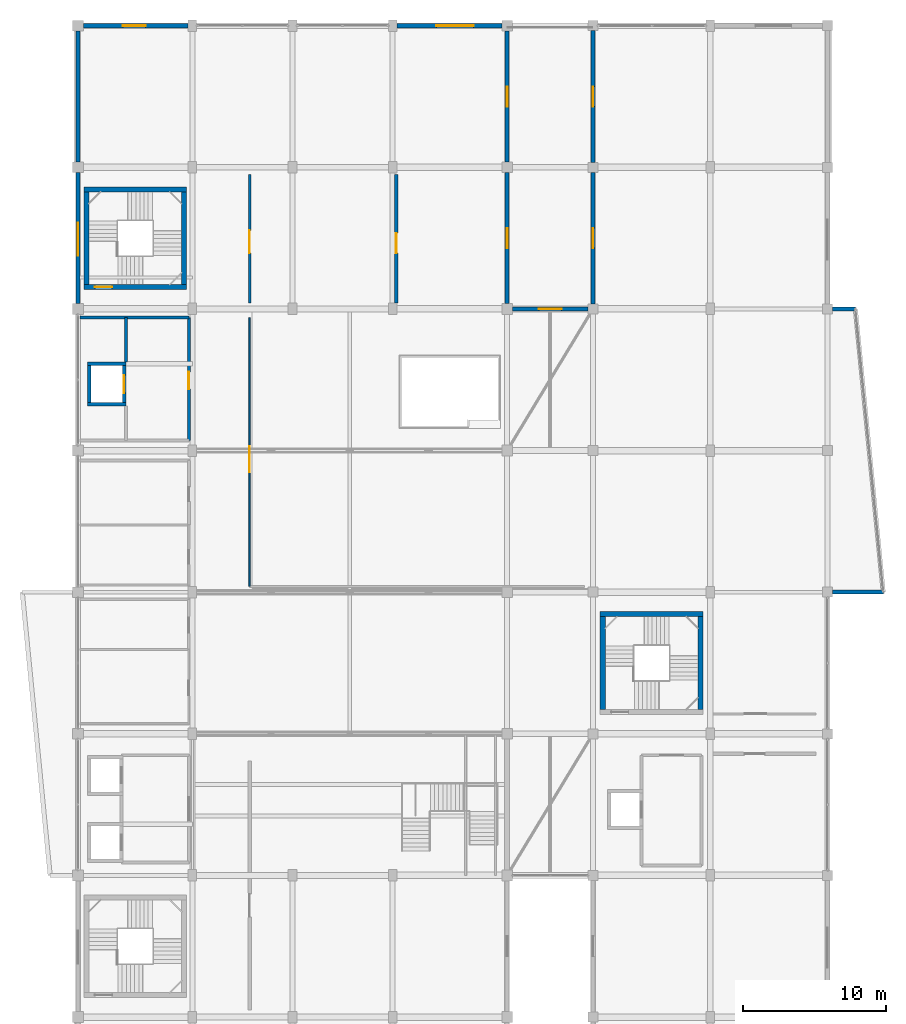
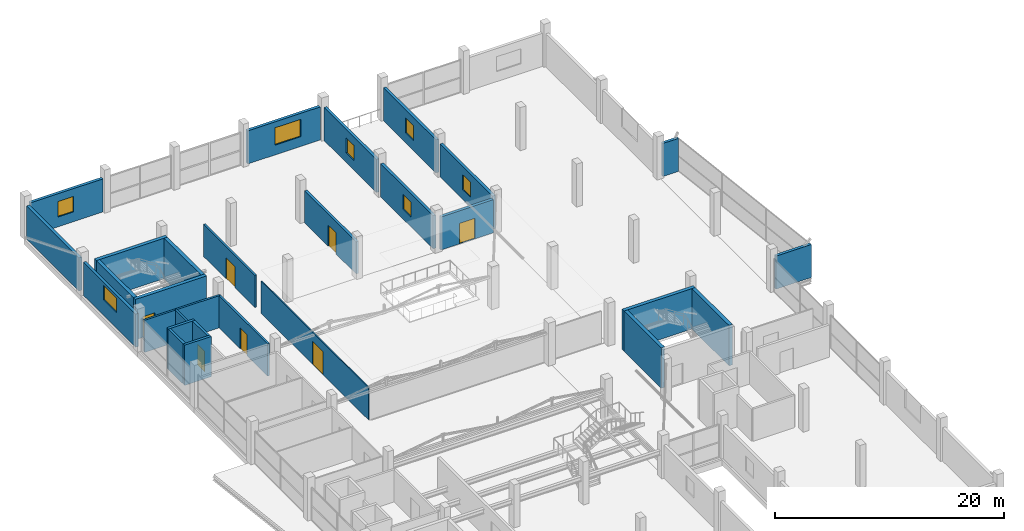
# One storey, part 43 of 55: 28 walls, 7 doors, 7 windows, 14 openings.
"""IFC4 building model written with IfcOpenShell, lengths in metres."""

from ifc_helpers import new_model, si_unit, direction, frame, frame_2d, origin, place, context, subcontext, project, spatial, rectangle, extrude, material, layer, layer_set, type_object, element, fill, save


model = new_model("IFC4")

# Units and contexts
model_context = context("Model", 3, precision=1e-05, world=origin(), true_north=direction((0.0, 1.0)))
body_context = subcontext(model_context, "Body", "Model", "MODEL_VIEW")
ifc_project = project(units=[si_unit("LENGTHUNIT", "METRE"), si_unit("AREAUNIT", "SQUARE_METRE"), si_unit("VOLUMEUNIT", "CUBIC_METRE"), si_unit("PLANEANGLEUNIT", "RADIAN"), si_unit("MASSUNIT", "GRAM", prefix="KILO")], contexts=[model_context])

# Site, building, storey
site_placement = place(None, origin())
site = spatial("IfcSite", under=ifc_project, at=site_placement, CompositionType="ELEMENT")
building_placement = place(site_placement, origin())
building = spatial("IfcBuilding", under=site, at=building_placement, Name="Sillaruma Civic Art Gallery", CompositionType="ELEMENT")
storey_placement = place(building_placement, frame((0.0, 0.0, 37.739990234375)))
storey = spatial("IfcBuildingStorey", under=building, at=storey_placement, Name="L07", CompositionType="ELEMENT", Elevation=37.739990234375)

# Wall, opening, door
ifc_material_1 = material(Name="Concrete H40 (40 MPa)", Category="concrete")
ifc_layer_1 = layer(ifc_material_1, 0.35009765625, Name="Concrete H40 (40 MPa)")
ifc_layer_set_1 = layer_set([ifc_layer_1], Name="Concrete H40 (40 MPa)")
wall_type_1 = type_object("IfcWallType", Name="WAL-CORE-350", PredefinedType="SHEAR", material=ifc_layer_set_1)
wall_1_placement = place(storey_placement, frame((62.409912109375, 80.735107421875, 0.0), z_axis=(0.0, 0.0, 1.0), x_axis=(1.0, 0.0, 0.0)))
wall_1 = element("IfcWall", 1, at=wall_1_placement, inside=storey, type_object=wall_type_1, Name="Stair Core Shear Wall W-CORE-350 (ST-02:L07:S)", PredefinedType="SHEAR", context=body_context, shape_type="SweptSolid", body=[
    extrude(rectangle(XDim=7.18017578125, YDim=0.35009765625, at=frame_2d((3.590087890625, 0.0))), origin(), (0.0, 0.0, 1.0), 4.31005859375),
])
opening_1_placement = place(wall_1_placement, frame((0.77001953125, 0.0, 0.0)))
opening_1 = element("IfcOpeningElement", 2, at=opening_1_placement, cuts=wall_1, Name="Opening D-STAIR", PredefinedType="OPENING", context=body_context, shape_type="SweptSolid", body=[
    extrude(rectangle(XDim=1.199951171875, YDim=2.199951171875, at=frame_2d((0.60009765625, 1.10009765625))), frame((0.0, 0.18505859375, 0.0), z_axis=(0.0, -1.0, 0.0), x_axis=(1.0, 0.0, 0.0)), (0.0, 0.0, 1.0), 0.3701171875),
])
ifc_material_2 = material(Name="Galvanised Steel ASTM A653 Gr.50", Category="steel")
door_type_1 = type_object("IfcDoorType", Name="DOR-STAIR-120", OperationType="NOTDEFINED", PredefinedType="DOOR", material=ifc_material_2)
door_1_placement = place(opening_1_placement, origin())
door_1 = element("IfcDoor", 3, at=door_1_placement, inside=storey, type_object=door_type_1, Name="Protected Stair Fire Door (ST-02:L07)", OperationType="SINGLE_SWING_LEFT", OverallHeight=2.199951171875, OverallWidth=1.199951171875, PredefinedType="DOOR", context=body_context, shape_type="SweptSolid", body=[
    extrude(rectangle(XDim=1.199951171875, YDim=2.199951171875, at=frame_2d((0.60009765625, 1.10009765625))), frame((0.0, 0.02490234375, 0.0), z_axis=(0.0, -1.0, 0.0), x_axis=(1.0, 0.0, 0.0)), (0.0, 0.0, 1.0), 0.050048828125),
])
fill(opening_1, door_1)

# Walls
wall_2_placement = place(storey_placement, frame((62.409912109375, 87.56494140625, 0.0), z_axis=(0.0, 0.0, 1.0), x_axis=(1.0, 0.0, 0.0)))
element("IfcWall", 4, at=wall_2_placement, inside=storey, type_object=wall_type_1, Name="Stair Core Shear Wall W-CORE-350 (ST-02:L07:N)", PredefinedType="SHEAR", context=body_context, shape_type="SweptSolid", body=[
    extrude(rectangle(XDim=7.18017578125, YDim=0.35009765625, at=frame_2d((3.590087890625, 0.0))), origin(), (0.0, 0.0, 1.0), 4.31005859375),
])
for number, where, z_axis, x_axis, name in (
    (5, (62.5849609375, 80.909912109375, 0.0), (0.0, 0.0, 1.0), (0.0, 1.0, 0.0), "Stair Core Shear Wall W-CORE-350 (ST-02:L07:W)"),
    (6, (69.4150390625, 80.909912109375, 0.0), (0.0, 0.0, 1.0), (0.0, 1.0, 0.0), "Stair Core Shear Wall W-CORE-350 (ST-02:L07:E)"),
):
    element("IfcWall", number, at=place(storey_placement, frame(where, z_axis=z_axis, x_axis=x_axis)), inside=storey, type_object=wall_type_1, Name=name, PredefinedType="SHEAR", context=body_context, shape_type="SweptSolid", body=[
        extrude(rectangle(XDim=6.47998046875, YDim=0.35009765625, at=frame_2d((3.239990234375, 0.0))), origin(), (0.0, 0.0, 1.0), 4.31005859375),
    ])
wall_3_placement = place(storey_placement, frame((98.510009765625, 57.864990234375, 0.0), z_axis=(0.0, 0.0, 1.0), x_axis=(1.0, 0.0, 0.0)))
element("IfcWall", 7, at=wall_3_placement, inside=storey, type_object=wall_type_1, Name="Stair Core Shear Wall W-CORE-350 (ST-04:L07:N)", PredefinedType="SHEAR", context=body_context, shape_type="SweptSolid", body=[
    extrude(rectangle(XDim=7.179931640625, YDim=0.35009765625, at=frame_2d((3.58984375, 0.0))), origin(), (0.0, 0.0, 1.0), 4.31005859375),
])
for number, where, z_axis, x_axis, name in (
    (8, (98.68505859375, 51.2099609375, 0.0), (0.0, 0.0, 1.0), (0.0, 1.0, 0.0), "Stair Core Shear Wall W-CORE-350 (ST-04:L07:W)"),
    (9, (105.514892578125, 51.2099609375, 0.0), (0.0, 0.0, 1.0), (0.0, 1.0, 0.0), "Stair Core Shear Wall W-CORE-350 (ST-04:L07:E)"),
):
    element("IfcWall", number, at=place(storey_placement, frame(where, z_axis=z_axis, x_axis=x_axis)), inside=storey, type_object=wall_type_1, Name=name, PredefinedType="SHEAR", context=body_context, shape_type="SweptSolid", body=[
        extrude(rectangle(XDim=6.47998046875, YDim=0.35009765625, at=frame_2d((3.239990234375, 0.0))), origin(), (0.0, 0.0, 1.0), 4.31005859375),
    ])

# Wall, opening, window
ifc_material_3 = material(Name="Concrete H35 (35 MPa)", Category="concrete")
ifc_layer_2 = layer(ifc_material_3, 0.159912109375, Name="Concrete backup", Category="concrete")
ifc_material_4 = material(Name="Mineral Wool Thermal Insulation", Category="insulation")
ifc_layer_3 = layer(ifc_material_4, 0.090087890625, Name="Thermal insulation", Category="insulation")
ifc_material_5 = material(Name="Anodised Zinc-Aluminium Alloy", Category="aluminium")
ifc_layer_4 = layer(ifc_material_5, 0.030029296875, Name="Rainscreen finish", Category="aluminium")
ifc_layer_set_2 = layer_set([ifc_layer_2, ifc_layer_3, ifc_layer_4], Name="W-EXT-280")
wall_type_2 = type_object("IfcWallType", Name="WAL-EXT-280", PredefinedType="SOLIDWALL", material=ifc_layer_set_2)
wall_4_placement = place(storey_placement, frame((62.0, 79.574951171875, 0.0), z_axis=(0.0, 0.0, 1.0), x_axis=(0.0, 1.0, 0.0)))
wall_4 = element("IfcWall", 10, at=wall_4_placement, inside=storey, type_object=wall_type_2, Name="Exterior Wall W-EXT-280 (EW-L07-W-7)", PredefinedType="SOLIDWALL", context=body_context, shape_type="SweptSolid", body=[
    extrude(rectangle(XDim=9.150146484375, YDim=0.280029296875, at=frame_2d((4.5751953125, 0.0))), origin(), (0.0, 0.0, 1.0), 3.530029296875),
])
opening_2_placement = place(wall_4_placement, frame((3.35009765625, 0.0, 1.64990234375)))
opening_2 = element("IfcOpeningElement", 11, at=opening_2_placement, cuts=wall_4, Name="Opening WN-12", PredefinedType="OPENING", context=body_context, shape_type="SweptSolid", body=[
    extrude(rectangle(XDim=2.300048828125, YDim=1.550048828125, at=frame_2d((1.14990234375, 0.77490234375))), frame((0.0, 0.14990234375, 0.0), z_axis=(0.0, -1.0, 0.0), x_axis=(1.0, 0.0, 0.0)), (0.0, 0.0, 1.0), 0.300048828125),
])
ifc_material_6 = material(Name="Thermally Broken Extruded Aluminium 6063-T6", Category="aluminium")
window_type_1 = type_object("IfcWindowType", Name="WIN-W12", PartitioningType="SINGLE_PANEL", PredefinedType="WINDOW", material=ifc_material_6)
window_1_placement = place(opening_2_placement, origin())
window_1 = element("IfcWindow", 12, at=window_1_placement, inside=storey, type_object=window_type_1, Name="Window WN-12 (EW-L07-W-7-1)", OverallHeight=1.550048828125, OverallWidth=2.300048828125, PartitioningType="SINGLE_PANEL", PredefinedType="WINDOW", context=body_context, shape_type="SweptSolid", body=[
    extrude(rectangle(XDim=2.300048828125, YDim=1.550048828125, at=frame_2d((1.14990234375, 0.77490234375))), frame((0.0, 0.030029296875, 0.0), z_axis=(0.0, -1.0, 0.0), x_axis=(1.0, 0.0, 0.0)), (0.0, 0.0, 1.0), 0.06005859375),
])
fill(opening_2, window_1)

# Walls
wall_5_placement = place(storey_placement, frame((114.75, 59.39990234375, 0.0), z_axis=(0.0, 0.0, 1.0), x_axis=(1.0, 0.0, 0.0)))
element("IfcWall", 13, at=wall_5_placement, inside=storey, type_object=wall_type_2, Name="Exterior Wall W-EXT-280 (EW-PRW-L07-E-S1)", PredefinedType="SOLIDWALL", context=body_context, shape_type="SweptSolid", body=[
    extrude(rectangle(XDim=3.550048828125, YDim=0.280029296875, at=frame_2d((1.77490234375, 0.0))), origin(), (0.0, 0.0, 1.0), 3.530029296875),
])
wall_6_placement = place(storey_placement, frame((116.35009765625, 79.199951171875, 0.0), z_axis=(0.0, 0.0, 1.0), x_axis=(-1.0, 0.0, 0.0)))
element("IfcWall", 14, at=wall_6_placement, inside=storey, type_object=wall_type_2, Name="Exterior Wall W-EXT-280 (EW-PRW-L07-E-S3)", PredefinedType="SOLIDWALL", context=body_context, shape_type="SweptSolid", body=[
    extrude(rectangle(XDim=1.60009765625, YDim=0.280029296875, at=frame_2d((0.800048828125, 0.0))), origin(), (0.0, 0.0, 1.0), 3.530029296875),
])

# Wall, opening, door
wall_7_placement = place(storey_placement, frame((92.375, 79.199951171875, 0.0), z_axis=(0.0, 0.0, 1.0), x_axis=(1.0, 0.0, 0.0)))
wall_7 = element("IfcWall", 15, at=wall_7_placement, inside=storey, type_object=wall_type_2, Name="Exterior Wall W-EXT-280 (EW-L07-CYN-N)", PredefinedType="SOLIDWALL", context=body_context, shape_type="SweptSolid", body=[
    extrude(rectangle(XDim=5.27490234375, YDim=0.280029296875, at=frame_2d((2.637451171875, 0.0))), origin(), (0.0, 0.0, 1.0), 3.530029296875),
])
opening_3_placement = place(wall_7_placement, frame((1.837890625, 0.0, 0.0)))
opening_3 = element("IfcOpeningElement", 16, at=opening_3_placement, cuts=wall_7, Name="Opening D-TER2", PredefinedType="OPENING", context=body_context, shape_type="SweptSolid", body=[
    extrude(rectangle(XDim=1.60009765625, YDim=2.199951171875, at=frame_2d((0.800048828125, 1.10009765625))), frame((0.0, 0.14990234375, 0.0), z_axis=(0.0, -1.0, 0.0), x_axis=(1.0, 0.0, 0.0)), (0.0, 0.0, 1.0), 0.300048828125),
])
door_type_2 = type_object("IfcDoorType", Name="DOR-TER-160", OperationType="NOTDEFINED", PredefinedType="DOOR", material=ifc_material_6)
door_2_placement = place(opening_3_placement, origin())
door_2 = element("IfcDoor", 17, at=door_2_placement, inside=storey, type_object=door_type_2, Name="L07 North Canyon Sculpture Terrace Door", OperationType="DOUBLE_DOOR_SINGLE_SWING", OverallHeight=2.199951171875, OverallWidth=1.60009765625, PredefinedType="DOOR", context=body_context, shape_type="SweptSolid", body=[
    extrude(rectangle(XDim=1.60009765625, YDim=2.199951171875, at=frame_2d((0.800048828125, 1.10009765625))), frame((0.0, 0.02490234375, 0.0), z_axis=(0.0, -1.0, 0.0), x_axis=(1.0, 0.0, 0.0)), (0.0, 0.0, 1.0), 0.050048828125),
])
fill(opening_3, door_2)

# Wall, opening, window
wall_8_placement = place(storey_placement, frame((92.0, 79.574951171875, 0.0), z_axis=(0.0, 0.0, 1.0), x_axis=(0.0, 1.0, 0.0)))
wall_8 = element("IfcWall", 18, at=wall_8_placement, inside=storey, type_object=wall_type_2, Name="Exterior Wall W-EXT-280 (EW-L07-CYN-W3)", PredefinedType="SOLIDWALL", context=body_context, shape_type="SweptSolid", body=[
    extrude(rectangle(XDim=9.150146484375, YDim=0.280029296875, at=frame_2d((4.5751953125, 0.0))), origin(), (0.0, 0.0, 1.0), 3.530029296875),
])
opening_4_placement = place(wall_8_placement, frame((3.875, 0.0, 1.050048828125)))
opening_4 = element("IfcOpeningElement", 19, at=opening_4_placement, cuts=wall_8, Name="Opening WN-06", PredefinedType="OPENING", context=body_context, shape_type="SweptSolid", body=[
    extrude(rectangle(XDim=1.39990234375, YDim=1.60009765625, at=frame_2d((0.699951171875, 0.800048828125))), frame((0.0, 0.14990234375, 0.0), z_axis=(0.0, -1.0, 0.0), x_axis=(1.0, 0.0, 0.0)), (0.0, 0.0, 1.0), 0.300048828125),
])
window_type_2 = type_object("IfcWindowType", Name="WIN-W06", PartitioningType="SINGLE_PANEL", PredefinedType="WINDOW", material=ifc_material_6)
window_2_placement = place(opening_4_placement, origin())
window_2 = element("IfcWindow", 20, at=window_2_placement, inside=storey, type_object=window_type_2, Name="Window WN-06 (EW-L07-CYN-W3-1)", OverallHeight=1.60009765625, OverallWidth=1.39990234375, PartitioningType="SINGLE_PANEL", PredefinedType="WINDOW", context=body_context, shape_type="SweptSolid", body=[
    extrude(rectangle(XDim=1.39990234375, YDim=1.60009765625, at=frame_2d((0.699951171875, 0.800048828125))), frame((0.0, 0.030029296875, 0.0), z_axis=(0.0, -1.0, 0.0), x_axis=(1.0, 0.0, 0.0)), (0.0, 0.0, 1.0), 0.06005859375),
])
fill(opening_4, window_2)

wall_9_placement = place(storey_placement, frame((98.0, 79.550048828125, 0.0), z_axis=(0.0, 0.0, 1.0), x_axis=(0.0, 1.0, 0.0)))
wall_9 = element("IfcWall", 21, at=wall_9_placement, inside=storey, type_object=wall_type_2, Name="Exterior Wall W-EXT-280 (EW-L07-CYN-E3)", PredefinedType="SOLIDWALL", context=body_context, shape_type="SweptSolid", body=[
    extrude(rectangle(XDim=9.199951171875, YDim=0.280029296875, at=frame_2d((4.60009765625, 0.0))), origin(), (0.0, 0.0, 1.0), 3.530029296875),
])
opening_5_placement = place(wall_9_placement, frame((3.89990234375, 0.0, 1.050048828125)))
opening_5 = element("IfcOpeningElement", 22, at=opening_5_placement, cuts=wall_9, Name="Opening WN-06", PredefinedType="OPENING", context=body_context, shape_type="SweptSolid", body=[
    extrude(rectangle(XDim=1.39990234375, YDim=1.60009765625, at=frame_2d((0.699951171875, 0.800048828125))), frame((0.0, 0.14990234375, 0.0), z_axis=(0.0, -1.0, 0.0), x_axis=(1.0, 0.0, 0.0)), (0.0, 0.0, 1.0), 0.300048828125),
])
window_3_placement = place(opening_5_placement, origin())
window_3 = element("IfcWindow", 23, at=window_3_placement, inside=storey, type_object=window_type_2, Name="Window WN-06 (EW-L07-CYN-E3-1)", OverallHeight=1.60009765625, OverallWidth=1.39990234375, PartitioningType="SINGLE_PANEL", PredefinedType="WINDOW", context=body_context, shape_type="SweptSolid", body=[
    extrude(rectangle(XDim=1.39990234375, YDim=1.60009765625, at=frame_2d((0.699951171875, 0.800048828125))), frame((0.0, 0.030029296875, 0.0), z_axis=(0.0, -1.0, 0.0), x_axis=(1.0, 0.0, 0.0)), (0.0, 0.0, 1.0), 0.06005859375),
])
fill(opening_5, window_3)

wall_10_placement = place(storey_placement, frame((92.0, 89.47509765625, 0.0), z_axis=(0.0, 0.0, 1.0), x_axis=(0.0, 1.0, 0.0)))
wall_10 = element("IfcWall", 24, at=wall_10_placement, inside=storey, type_object=wall_type_2, Name="Exterior Wall W-EXT-280 (EW-L07-CYN-W4)", PredefinedType="SOLIDWALL", context=body_context, shape_type="SweptSolid", body=[
    extrude(rectangle(XDim=9.14990234375, YDim=0.280029296875, at=frame_2d((4.574951171875, 0.0))), origin(), (0.0, 0.0, 1.0), 3.530029296875),
])
opening_6_placement = place(wall_10_placement, frame((3.875, 0.0, 1.050048828125)))
opening_6 = element("IfcOpeningElement", 25, at=opening_6_placement, cuts=wall_10, Name="Opening WN-06", PredefinedType="OPENING", context=body_context, shape_type="SweptSolid", body=[
    extrude(rectangle(XDim=1.39990234375, YDim=1.60009765625, at=frame_2d((0.699951171875, 0.800048828125))), frame((0.0, 0.14990234375, 0.0), z_axis=(0.0, -1.0, 0.0), x_axis=(1.0, 0.0, 0.0)), (0.0, 0.0, 1.0), 0.300048828125),
])
window_4_placement = place(opening_6_placement, origin())
window_4 = element("IfcWindow", 26, at=window_4_placement, inside=storey, type_object=window_type_2, Name="Window WN-06 (EW-L07-CYN-W4-1)", OverallHeight=1.60009765625, OverallWidth=1.39990234375, PartitioningType="SINGLE_PANEL", PredefinedType="WINDOW", context=body_context, shape_type="SweptSolid", body=[
    extrude(rectangle(XDim=1.39990234375, YDim=1.60009765625, at=frame_2d((0.699951171875, 0.800048828125))), frame((0.0, 0.030029296875, 0.0), z_axis=(0.0, -1.0, 0.0), x_axis=(1.0, 0.0, 0.0)), (0.0, 0.0, 1.0), 0.06005859375),
])
fill(opening_6, window_4)

wall_11_placement = place(storey_placement, frame((98.0, 89.449951171875, 0.0), z_axis=(0.0, 0.0, 1.0), x_axis=(0.0, 1.0, 0.0)))
wall_11 = element("IfcWall", 27, at=wall_11_placement, inside=storey, type_object=wall_type_2, Name="Exterior Wall W-EXT-280 (EW-L07-CYN-E4)", PredefinedType="SOLIDWALL", context=body_context, shape_type="SweptSolid", body=[
    extrude(rectangle(XDim=9.199951171875, YDim=0.280029296875, at=frame_2d((4.60009765625, 0.0))), origin(), (0.0, 0.0, 1.0), 3.530029296875),
])
opening_7_placement = place(wall_11_placement, frame((3.89990234375, 0.0, 1.050048828125)))
opening_7 = element("IfcOpeningElement", 28, at=opening_7_placement, cuts=wall_11, Name="Opening WN-06", PredefinedType="OPENING", context=body_context, shape_type="SweptSolid", body=[
    extrude(rectangle(XDim=1.39990234375, YDim=1.60009765625, at=frame_2d((0.699951171875, 0.800048828125))), frame((0.0, 0.14990234375, 0.0), z_axis=(0.0, -1.0, 0.0), x_axis=(1.0, 0.0, 0.0)), (0.0, 0.0, 1.0), 0.300048828125),
])
window_5_placement = place(opening_7_placement, origin())
window_5 = element("IfcWindow", 29, at=window_5_placement, inside=storey, type_object=window_type_2, Name="Window WN-06 (EW-L07-CYN-E4-1)", OverallHeight=1.60009765625, OverallWidth=1.39990234375, PartitioningType="SINGLE_PANEL", PredefinedType="WINDOW", context=body_context, shape_type="SweptSolid", body=[
    extrude(rectangle(XDim=1.39990234375, YDim=1.60009765625, at=frame_2d((0.699951171875, 0.800048828125))), frame((0.0, 0.030029296875, 0.0), z_axis=(0.0, -1.0, 0.0), x_axis=(1.0, 0.0, 0.0)), (0.0, 0.0, 1.0), 0.06005859375),
])
fill(opening_7, window_5)

ifc_layer_5 = layer(ifc_material_3, 0.169921875, Name="Concrete backup", Category="concrete")
ifc_layer_6 = layer(ifc_material_4, 0.090087890625, Name="Thermal insulation", Category="insulation")
ifc_layer_7 = layer(ifc_material_5, 0.030029296875, Name="Rainscreen finish", Category="aluminium")
ifc_layer_set_3 = layer_set([ifc_layer_5, ifc_layer_6, ifc_layer_7], Name="W-EXT-290")
wall_type_3 = type_object("IfcWallType", Name="WAL-EXT-290", PredefinedType="SOLIDWALL", material=ifc_layer_set_3)
wall_12_placement = place(storey_placement, frame((62.375, 99.0, 0.0), z_axis=(0.0, 0.0, 1.0), x_axis=(1.0, 0.0, 0.0)))
wall_12 = element("IfcWall", 30, at=wall_12_placement, inside=storey, type_object=wall_type_3, Name="Exterior Wall W-EXT-290 (EW-L07-N-1)", PredefinedType="SOLIDWALL", context=body_context, shape_type="SweptSolid", body=[
    extrude(rectangle(XDim=7.324951171875, YDim=0.2900390625, at=frame_2d((3.66259765625, 0.0))), origin(), (0.0, 0.0, 1.0), 3.530029296875),
])
opening_8_placement = place(wall_12_placement, frame((2.762939453125, 0.0, 1.050048828125)))
opening_8 = element("IfcOpeningElement", 31, at=opening_8_placement, cuts=wall_12, Name="Opening WN-05", PredefinedType="OPENING", context=body_context, shape_type="SweptSolid", body=[
    extrude(rectangle(XDim=1.60009765625, YDim=1.64990234375, at=frame_2d((0.800048828125, 0.824951171875))), frame((0.0, 0.155029296875, 0.0), z_axis=(0.0, -1.0, 0.0), x_axis=(1.0, 0.0, 0.0)), (0.0, 0.0, 1.0), 0.31005859375),
])
window_type_3 = type_object("IfcWindowType", Name="WIN-W05", PartitioningType="SINGLE_PANEL", PredefinedType="WINDOW", material=ifc_material_6)
window_6_placement = place(opening_8_placement, origin())
window_6 = element("IfcWindow", 32, at=window_6_placement, inside=storey, type_object=window_type_3, Name="Window WN-05 (EW-L07-N-1-1)", OverallHeight=1.64990234375, OverallWidth=1.60009765625, PartitioningType="SINGLE_PANEL", PredefinedType="WINDOW", context=body_context, shape_type="SweptSolid", body=[
    extrude(rectangle(XDim=1.60009765625, YDim=1.64990234375, at=frame_2d((0.800048828125, 0.824951171875))), frame((0.0, 0.030029296875, 0.0), z_axis=(0.0, -1.0, 0.0), x_axis=(1.0, 0.0, 0.0)), (0.0, 0.0, 1.0), 0.06005859375),
])
fill(opening_8, window_6)

wall_13_placement = place(storey_placement, frame((84.300048828125, 99.0, 0.0), z_axis=(0.0, 0.0, 1.0), x_axis=(1.0, 0.0, 0.0)))
wall_13 = element("IfcWall", 33, at=wall_13_placement, inside=storey, type_object=wall_type_3, Name="Exterior Wall W-EXT-290 (EW-L07-N-4)", PredefinedType="SOLIDWALL", context=body_context, shape_type="SweptSolid", body=[
    extrude(rectangle(XDim=7.324951171875, YDim=0.2900390625, at=frame_2d((3.66259765625, 0.0))), origin(), (0.0, 0.0, 1.0), 3.530029296875),
])
opening_9_placement = place(wall_13_placement, frame((2.762939453125, 0.0, 1.050048828125)))
opening_9 = element("IfcOpeningElement", 34, at=opening_9_placement, cuts=wall_13, Name="Opening WN-08", PredefinedType="OPENING", context=body_context, shape_type="SweptSolid", body=[
    extrude(rectangle(XDim=2.60009765625, YDim=1.85009765625, at=frame_2d((1.300048828125, 0.925048828125))), frame((0.0, 0.155029296875, 0.0), z_axis=(0.0, -1.0, 0.0), x_axis=(1.0, 0.0, 0.0)), (0.0, 0.0, 1.0), 0.31005859375),
])
window_type_4 = type_object("IfcWindowType", Name="WIN-W08", PartitioningType="SINGLE_PANEL", PredefinedType="WINDOW", material=ifc_material_6)
window_7_placement = place(opening_9_placement, origin())
window_7 = element("IfcWindow", 35, at=window_7_placement, inside=storey, type_object=window_type_4, Name="Window WN-08 (EW-L07-N-4-1)", OverallHeight=1.85009765625, OverallWidth=2.60009765625, PartitioningType="SINGLE_PANEL", PredefinedType="WINDOW", context=body_context, shape_type="SweptSolid", body=[
    extrude(rectangle(XDim=2.60009765625, YDim=1.85009765625, at=frame_2d((1.300048828125, 0.925048828125))), frame((0.0, 0.030029296875, 0.0), z_axis=(0.0, -1.0, 0.0), x_axis=(1.0, 0.0, 0.0)), (0.0, 0.0, 1.0), 0.06005859375),
])
fill(opening_9, window_7)

# Walls
ifc_material_7 = material(Name="Precast Concrete H35 (35 MPa)", Category="concrete")
ifc_layer_8 = layer(ifc_material_7, 0.179931640625, Name="Precast backup", Category="concrete")
ifc_layer_9 = layer(ifc_material_4, 0.090087890625, Name="Thermal insulation", Category="insulation")
ifc_material_8 = material(Name="Comanche Granitic Ashlar Stone", Category="masonry")
ifc_layer_10 = layer(ifc_material_8, 0.030029296875, Name="Rainscreen cladding", Category="masonry")
ifc_layer_set_4 = layer_set([ifc_layer_8, ifc_layer_9, ifc_layer_10], Name="W-EXT-300")
wall_type_4 = type_object("IfcWallType", Name="WAL-EXT-300", PredefinedType="SOLIDWALL", material=ifc_layer_set_4)
wall_14_placement = place(storey_placement, frame((62.0, 89.47509765625, 0.0), z_axis=(0.0, 0.0, 1.0), x_axis=(0.0, 1.0, 0.0)))
element("IfcWall", 36, at=wall_14_placement, inside=storey, type_object=wall_type_4, Name="Exterior Wall W-EXT-300 (EW-L07-W-8)", PredefinedType="SOLIDWALL", context=body_context, shape_type="SweptSolid", body=[
    extrude(rectangle(XDim=9.14990234375, YDim=0.300048828125, at=frame_2d((4.574951171875, 0.0))), origin(), (0.0, 0.0, 1.0), 3.530029296875),
])
ifc_material_9 = material(Name="Concrete Masonry Unit Grade M15", Category="masonry")
ifc_layer_11 = layer(ifc_material_9, 0.199951171875, Name="Concrete Masonry Unit Grade M15")
ifc_layer_set_5 = layer_set([ifc_layer_11], Name="Concrete Masonry Unit Grade M15")
wall_type_5 = type_object("IfcWallType", Name="WAL-LOBBY-200", PredefinedType="SOLIDWALL", material=ifc_layer_set_5)
wall_15_placement = place(storey_placement, frame((62.14990234375, 78.60009765625, 0.0), z_axis=(0.0, 0.0, 1.0), x_axis=(1.0, 0.0, 0.0)))
element("IfcWall", 37, at=wall_15_placement, inside=storey, type_object=wall_type_5, Name="Interior Wall W-LOBBY-200 (L07-FFL)", PredefinedType="SOLIDWALL", context=body_context, shape_type="SweptSolid", body=[
    extrude(rectangle(XDim=7.60009765625, YDim=0.199951171875, at=frame_2d((3.800048828125, 0.0))), origin(), (0.0, 0.0, 1.0), 3.429931640625),
])
wall_16_placement = place(storey_placement, frame((65.35009765625, 75.5, 0.0), z_axis=(0.0, 0.0, 1.0), x_axis=(0.0, 1.0, 0.0)))
element("IfcWall", 38, at=wall_16_placement, inside=storey, type_object=wall_type_5, Name="Interior Wall W-LOBBY-200 (L07-FFL)", PredefinedType="SOLIDWALL", context=body_context, shape_type="SweptSolid", body=[
    extrude(rectangle(XDim=3.10009765625, YDim=0.199951171875, at=frame_2d((1.550048828125, 0.0))), origin(), (0.0, 0.0, 1.0), 3.429931640625),
])

# Wall, opening, door
wall_17_placement = place(storey_placement, frame((69.75, 70.0, 0.0), z_axis=(0.0, 0.0, 1.0), x_axis=(0.0, 1.0, 0.0)))
wall_17 = element("IfcWall", 39, at=wall_17_placement, inside=storey, type_object=wall_type_5, Name="Interior Wall W-LOBBY-200 (L07-FFL)", PredefinedType="SOLIDWALL", context=body_context, shape_type="SweptSolid", body=[
    extrude(rectangle(XDim=8.60009765625, YDim=0.199951171875, at=frame_2d((4.300048828125, 0.0))), origin(), (0.0, 0.0, 1.0), 3.429931640625),
])
opening_10_placement = place(wall_17_placement, frame((3.60009765625, 0.0, 0.0)))
opening_10 = element("IfcOpeningElement", 40, at=opening_10_placement, cuts=wall_17, Name="Opening D-FFL", PredefinedType="OPENING", context=body_context, shape_type="SweptSolid", body=[
    extrude(rectangle(XDim=1.199951171875, YDim=2.25, at=frame_2d((0.60009765625, 1.125))), frame((0.0, 0.10986328125, 0.0), z_axis=(0.0, -1.0, 0.0), x_axis=(1.0, 0.0, 0.0)), (0.0, 0.0, 1.0), 0.219970703125),
])
door_type_3 = type_object("IfcDoorType", Name="DOR-FFL-120", OperationType="NOTDEFINED", PredefinedType="DOOR", material=ifc_material_2)
door_3_placement = place(opening_10_placement, origin())
door_3 = element("IfcDoor", 41, at=door_3_placement, inside=storey, type_object=door_type_3, Name="Firefighting Lobby Door (D-FFL)", OperationType="SINGLE_SWING_LEFT", OverallHeight=2.25, OverallWidth=1.199951171875, PredefinedType="DOOR", context=body_context, shape_type="SweptSolid", body=[
    extrude(rectangle(XDim=1.199951171875, YDim=2.25, at=frame_2d((0.60009765625, 1.125))), frame((0.0, 0.02490234375, 0.0), z_axis=(0.0, -1.0, 0.0), x_axis=(1.0, 0.0, 0.0)), (0.0, 0.0, 1.0), 0.050048828125),
])
fill(opening_10, door_3)

ifc_material_10 = material(Name="Gypsum Acoustic Board", Category="gypsum")
ifc_layer_12 = layer(ifc_material_10, 0.02490234375, Name="Finish board", Category="gypsum")
ifc_layer_13 = layer(ifc_material_4, 0.06005859375, Name="Acoustic core", Category="insulation")
ifc_material_11 = material(Name="Andean Oak Timber", Category="wood")
ifc_layer_14 = layer(ifc_material_11, 0.02490234375, Name="Gallery lining", Category="wood")
ifc_layer_set_6 = layer_set([ifc_layer_12, ifc_layer_13, ifc_layer_14], Name="W-PT-110")
wall_type_6 = type_object("IfcWallType", Name="WAL-PART-110", PredefinedType="PARTITIONING", material=ifc_layer_set_6)
wall_18_placement = place(storey_placement, frame((74.0, 59.800048828125, 0.0), z_axis=(0.0, 0.0, 1.0), x_axis=(0.0, 1.0, 0.0)))
wall_18 = element("IfcWall", 42, at=wall_18_placement, inside=storey, type_object=wall_type_6, Name="Interior Wall W-PT-110 (L07-GAL71)", PredefinedType="PARTITIONING", context=body_context, shape_type="SweptSolid", body=[
    extrude(rectangle(XDim=18.800048828125, YDim=0.110107421875, at=frame_2d((9.39990234375, 0.0))), origin(), (0.0, 0.0, 1.0), 3.429931640625),
])
opening_11_placement = place(wall_18_placement, frame((8.0, 0.0, 0.0)))
opening_11 = element("IfcOpeningElement", 43, at=opening_11_placement, cuts=wall_18, Name="Opening D-GAL18", PredefinedType="OPENING", context=body_context, shape_type="SweptSolid", body=[
    extrude(rectangle(XDim=1.800048828125, YDim=2.449951171875, at=frame_2d((0.89990234375, 1.22509765625))), frame((0.0, 0.06494140625, 0.0), z_axis=(0.0, -1.0, 0.0), x_axis=(1.0, 0.0, 0.0)), (0.0, 0.0, 1.0), 0.130126953125),
])
door_type_4 = type_object("IfcDoorType", Name="DOR-GAL-180", OperationType="NOTDEFINED", PredefinedType="DOOR", material=ifc_material_11)
door_4_placement = place(opening_11_placement, origin())
door_4 = element("IfcDoor", 44, at=door_4_placement, inside=storey, type_object=door_type_4, Name="Paired Canyon Overlook Gallery Door (D-GAL18)", OperationType="DOUBLE_DOOR_SINGLE_SWING", OverallHeight=2.449951171875, OverallWidth=1.800048828125, PredefinedType="DOOR", context=body_context, shape_type="SweptSolid", body=[
    extrude(rectangle(XDim=1.800048828125, YDim=2.449951171875, at=frame_2d((0.89990234375, 1.22509765625))), frame((0.0, 0.02490234375, 0.0), z_axis=(0.0, -1.0, 0.0), x_axis=(1.0, 0.0, 0.0)), (0.0, 0.0, 1.0), 0.050048828125),
])
fill(opening_11, door_4)

ifc_layer_15 = layer(ifc_material_10, 0.02490234375, Name="Finish board", Category="gypsum")
ifc_layer_16 = layer(ifc_material_4, 0.1298828125, Name="Acoustic core", Category="insulation")
ifc_layer_17 = layer(ifc_material_11, 0.02490234375, Name="Gallery lining", Category="wood")
ifc_layer_set_7 = layer_set([ifc_layer_15, ifc_layer_16, ifc_layer_17], Name="W-PT-180")
wall_type_7 = type_object("IfcWallType", Name="WAL-PART-180", PredefinedType="PARTITIONING", material=ifc_layer_set_7)
wall_19_placement = place(storey_placement, frame((74.0, 79.60009765625, 0.0), z_axis=(0.0, 0.0, 1.0), x_axis=(0.0, 1.0, 0.0)))
wall_19 = element("IfcWall", 45, at=wall_19_placement, inside=storey, type_object=wall_type_7, Name="Interior Wall W-PT-180 (L07-LRN71)", PredefinedType="PARTITIONING", context=body_context, shape_type="SweptSolid", body=[
    extrude(rectangle(XDim=9.0, YDim=0.179931640625, at=frame_2d((4.5, 0.0))), origin(), (0.0, 0.0, 1.0), 3.429931640625),
])
opening_12_placement = place(wall_19_placement, frame((3.5, 0.0, 0.0)))
opening_12 = element("IfcOpeningElement", 46, at=opening_12_placement, cuts=wall_19, Name="Opening D-INT16", PredefinedType="OPENING", context=body_context, shape_type="SweptSolid", body=[
    extrude(rectangle(XDim=1.60009765625, YDim=2.25, at=frame_2d((0.800048828125, 1.125))), frame((0.0, 0.099853515625, 0.0), z_axis=(0.0, -1.0, 0.0), x_axis=(1.0, 0.0, 0.0)), (0.0, 0.0, 1.0), 0.199951171875),
])
door_type_5 = type_object("IfcDoorType", Name="DOR-INT-160", OperationType="NOTDEFINED", PredefinedType="DOOR", material=ifc_material_11)
door_5_placement = place(opening_12_placement, origin())
door_5 = element("IfcDoor", 47, at=door_5_placement, inside=storey, type_object=door_type_5, Name="Upper Learning Centre Studio Door (D-INT16)", OperationType="DOUBLE_DOOR_SINGLE_SWING", OverallHeight=2.25, OverallWidth=1.60009765625, PredefinedType="DOOR", context=body_context, shape_type="SweptSolid", body=[
    extrude(rectangle(XDim=1.60009765625, YDim=2.25, at=frame_2d((0.800048828125, 1.125))), frame((0.0, 0.02490234375, 0.0), z_axis=(0.0, -1.0, 0.0), x_axis=(1.0, 0.0, 0.0)), (0.0, 0.0, 1.0), 0.050048828125),
])
fill(opening_12, door_5)

# Walls
ifc_layer_18 = layer(ifc_material_1, 0.25, Name="Concrete H40 (40 MPa)")
ifc_layer_set_8 = layer_set([ifc_layer_18], Name="Concrete H40 (40 MPa)")
wall_type_8 = type_object("IfcWallType", Name="WAL-SHAFT-250", PredefinedType="SOLIDWALL", material=ifc_layer_set_8)
for number, where, z_axis, x_axis, name in (
    (48, (62.64990234375, 72.52490234375, 0.0), (0.0, 0.0, 1.0), (1.0, 0.0, 0.0), "Lift Shaft Wall W-SHAFT-250 (FFL-01:L07:S)"),
    (49, (62.64990234375, 75.375, 0.0), (0.0, 0.0, 1.0), (1.0, 0.0, 0.0), "Lift Shaft Wall W-SHAFT-250 (FFL-01:L07:N)"),
):
    element("IfcWall", number, at=place(storey_placement, frame(where, z_axis=z_axis, x_axis=x_axis)), inside=storey, type_object=wall_type_8, Name=name, PredefinedType="SOLIDWALL", context=body_context, shape_type="SweptSolid", body=[
        extrude(rectangle(XDim=2.7001953125, YDim=0.25, at=frame_2d((1.35009765625, 0.0))), origin(), (0.0, 0.0, 1.0), 4.2900390625),
    ])
wall_20_placement = place(storey_placement, frame((62.77490234375, 72.64990234375, 0.0), z_axis=(0.0, 0.0, 1.0), x_axis=(0.0, 1.0, 0.0)))
element("IfcWall", 50, at=wall_20_placement, inside=storey, type_object=wall_type_8, Name="Lift Shaft Wall W-SHAFT-250 (FFL-01:L07:W)", PredefinedType="SOLIDWALL", context=body_context, shape_type="SweptSolid", body=[
    extrude(rectangle(XDim=2.60009765625, YDim=0.25, at=frame_2d((1.300048828125, 0.0))), origin(), (0.0, 0.0, 1.0), 4.2900390625),
])

# Wall, opening, door
wall_21_placement = place(storey_placement, frame((65.22509765625, 72.64990234375, 0.0), z_axis=(0.0, 0.0, 1.0), x_axis=(0.0, 1.0, 0.0)))
wall_21 = element("IfcWall", 51, at=wall_21_placement, inside=storey, type_object=wall_type_8, Name="Lift Shaft Wall W-SHAFT-250 (FFL-01:L07:E)", PredefinedType="SOLIDWALL", context=body_context, shape_type="SweptSolid", body=[
    extrude(rectangle(XDim=2.60009765625, YDim=0.25, at=frame_2d((1.300048828125, 0.0))), origin(), (0.0, 0.0, 1.0), 4.2900390625),
])
opening_13_placement = place(wall_21_placement, frame((0.675048828125, 0.0, 0.0)))
opening_13 = element("IfcOpeningElement", 52, at=opening_13_placement, cuts=wall_21, Name="Opening LD-02", PredefinedType="OPENING", context=body_context, shape_type="SweptSolid", body=[
    extrude(rectangle(XDim=1.25, YDim=2.199951171875, at=frame_2d((0.625, 1.10009765625))), frame((0.0, 0.135009765625, 0.0), z_axis=(0.0, -1.0, 0.0), x_axis=(1.0, 0.0, 0.0)), (0.0, 0.0, 1.0), 0.27001953125),
])
door_type_6 = type_object("IfcDoorType", Name="DOR-LD-02", OperationType="NOTDEFINED", PredefinedType="DOOR", material=ifc_material_2)
door_6_placement = place(opening_13_placement, origin())
door_6 = element("IfcDoor", 53, at=door_6_placement, inside=storey, type_object=door_type_6, Name="Lift Sliding Landing Door LD-02 (FFL-01:L07)", OperationType="DOUBLE_DOOR_SLIDING", OverallHeight=2.199951171875, OverallWidth=1.25, PredefinedType="DOOR", context=body_context, shape_type="SweptSolid", body=[
    extrude(rectangle(XDim=1.25, YDim=2.199951171875, at=frame_2d((0.625, 1.10009765625))), frame((0.0, 0.02490234375, 0.0), z_axis=(0.0, -1.0, 0.0), x_axis=(1.0, 0.0, 0.0)), (0.0, 0.0, 1.0), 0.050048828125),
])
fill(opening_13, door_6)

ifc_layer_19 = layer(ifc_material_9, 0.2548828125, Name="Concrete Masonry Unit Grade M15")
ifc_layer_set_9 = layer_set([ifc_layer_19], Name="Concrete Masonry Unit Grade M15")
wall_type_9 = type_object("IfcWallType", Name="WAL-STORE-250", PredefinedType="SOLIDWALL", material=ifc_layer_set_9)
wall_22_placement = place(storey_placement, frame((84.25, 79.60009765625, 0.0), z_axis=(0.0, 0.0, 1.0), x_axis=(0.0, 1.0, 0.0)))
wall_22 = element("IfcWall", 54, at=wall_22_placement, inside=storey, type_object=wall_type_9, Name="Interior Wall W-STORE-250 (L07-STR70)", PredefinedType="SOLIDWALL", context=body_context, shape_type="SweptSolid", body=[
    extrude(rectangle(XDim=9.0, YDim=0.2548828125, at=frame_2d((4.5, 0.0))), origin(), (0.0, 0.0, 1.0), 3.429931640625),
])
opening_14_placement = place(wall_22_placement, frame((3.5, 0.0, 0.0)))
opening_14 = element("IfcOpeningElement", 55, at=opening_14_placement, cuts=wall_22, Name="Opening D-STR14", PredefinedType="OPENING", context=body_context, shape_type="SweptSolid", body=[
    extrude(rectangle(XDim=1.39990234375, YDim=2.25, at=frame_2d((0.699951171875, 1.125))), frame((0.0, 0.137451171875, 0.0), z_axis=(0.0, -1.0, 0.0), x_axis=(1.0, 0.0, 0.0)), (0.0, 0.0, 1.0), 0.27490234375),
])
door_type_7 = type_object("IfcDoorType", Name="DOR-STORE-140", OperationType="NOTDEFINED", PredefinedType="DOOR", material=ifc_material_2)
door_7_placement = place(opening_14_placement, origin())
door_7 = element("IfcDoor", 56, at=door_7_placement, inside=storey, type_object=door_type_7, Name="North-West Study Art Store Door (D-STR14)", OperationType="SINGLE_SWING_RIGHT", OverallHeight=2.25, OverallWidth=1.39990234375, PredefinedType="DOOR", context=body_context, shape_type="SweptSolid", body=[
    extrude(rectangle(XDim=1.39990234375, YDim=2.25, at=frame_2d((0.699951171875, 1.125))), frame((0.0, 0.02490234375, 0.0), z_axis=(0.0, -1.0, 0.0), x_axis=(1.0, 0.0, 0.0)), (0.0, 0.0, 1.0), 0.050048828125),
])
fill(opening_14, door_7)

save(model, "model.ifc")
